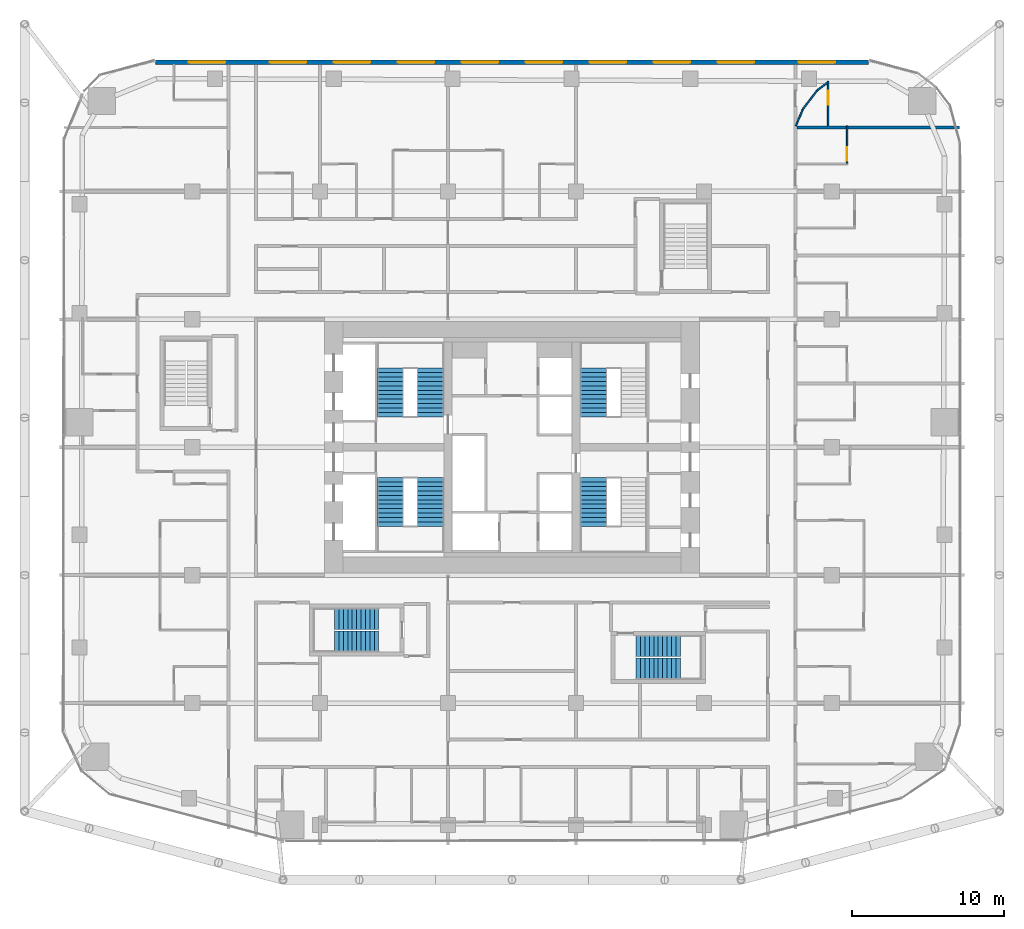
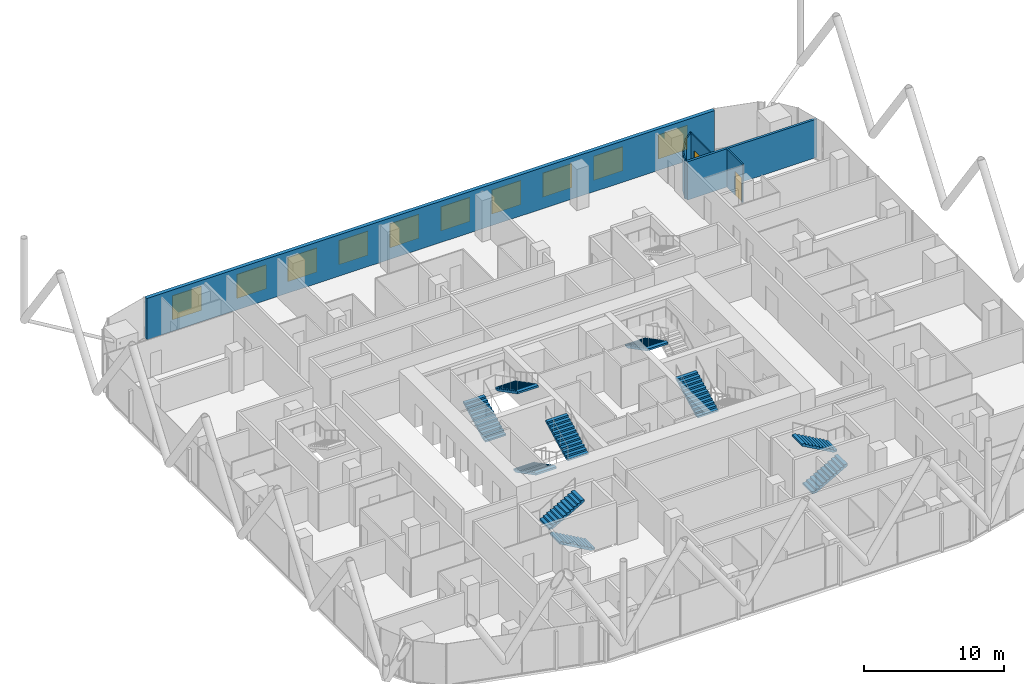
# One storey, part 31 of 34: 10 stair flights, 10 windows, 7 walls, 2 doors, 12 openings, 6 elements without a shape of their own.
"""IFC4 building model written with IfcOpenShell, lengths in metres."""

import ifcopenshell
import ifcopenshell.guid

model = None  # the IFC model being written
_history = None  # IfcOwnerHistory: only IFC2X3 demands one
_inside = {}  # id of a spatial element -> (the spatial element, [elements in it])
_under = {}  # id of a project, library or spatial element -> (it, [spatial elements below it])
_declared = {}  # id of a project -> (the project, [libraries it declares])
_typed = {}  # id of a type object -> (the type object, [elements of that type])
_made_of = {}  # id of a material, layer set ... -> (it, [elements and type objects made of it])


def new_model(schema):
    """Start an empty IFC model of exactly this schema.

    Asked for "IFC4X3", IfcOpenShell would pick the latest addendum, in which some entities
    have other attributes; the version numbers below select the first issue.
    IFC2X3 requires an IfcOwnerHistory on every rooted entity: one is made here for all.
    """
    global model, _history
    if schema == "IFC4X3":
        model = ifcopenshell.file(schema_version=(4, 3, 0, 0))
    else:
        model = ifcopenshell.file(schema=schema)
    _inside.clear()
    _under.clear()
    _declared.clear()
    _typed.clear()
    _made_of.clear()
    _history = None
    if model.schema == "IFC2X3":
        org = make("IfcOrganization", Name="unknown")
        user = make(
            "IfcPersonAndOrganization",
            ThePerson=make("IfcPerson", FamilyName="unknown"),
            TheOrganization=org,
        )
        app = make(
            "IfcApplication",
            ApplicationDeveloper=org,
            Version="unknown",
            ApplicationFullName="unknown",
            ApplicationIdentifier="unknown",
        )
        _history = make(
            "IfcOwnerHistory",
            OwningUser=user,
            OwningApplication=app,
            ChangeAction="ADDED",
            CreationDate=0,
        )
    return model


def make(cls, **values):
    """One entity of the class cls with the attributes given. An attribute that is None is left unset."""
    return model.create_entity(
        cls, **{name: value for name, value in values.items() if value is not None}
    )


def rooted(cls, **values):
    """An entity with a GlobalId (a new one), such as an element, a storey or a relation."""
    return make(cls, GlobalId=ifcopenshell.guid.new(), OwnerHistory=_history, **values)


def si_unit(unit_type, name, prefix=None):
    """IfcSIUnit, for example si_unit("LENGTHUNIT", "METRE", prefix="MILLI")."""
    return make("IfcSIUnit", UnitType=unit_type, Prefix=prefix, Name=name)


def assignment(units):
    """IfcUnitAssignment: the units of a project."""
    return None if units is None else make("IfcUnitAssignment", Units=units)


def point(xyz):
    """IfcCartesianPoint."""
    return None if xyz is None else make("IfcCartesianPoint", Coordinates=xyz)


def direction(xyz):
    """IfcDirection."""
    return None if xyz is None else make("IfcDirection", DirectionRatios=xyz)


def frame(location, z_axis=None, x_axis=None):
    """IfcAxis2Placement3D, a coordinate frame: its origin and axes. An axis left out is left unset."""
    return make(
        "IfcAxis2Placement3D",
        Location=point(location),
        Axis=direction(z_axis),
        RefDirection=direction(x_axis),
    )


def frame_2d(location, x_axis=None):
    """IfcAxis2Placement2D, a coordinate frame in the plane: its origin and x axis."""
    return make(
        "IfcAxis2Placement2D", Location=point(location), RefDirection=direction(x_axis)
    )


def origin():
    """The frame at (0, 0, 0) with its axes left unset."""
    return frame((0.0, 0.0, 0.0))


def place(relative_to, where):
    """IfcLocalPlacement: puts the frame where relative to a parent placement (None: the world)."""
    return make(
        "IfcLocalPlacement", PlacementRelTo=relative_to, RelativePlacement=where
    )


def context(
    kind, dimensions, precision=None, world=None, true_north=None, identifier=None
):
    """IfcGeometricRepresentationContext, for example the 3D "Model" context."""
    return make(
        "IfcGeometricRepresentationContext",
        ContextIdentifier=identifier,
        ContextType=kind,
        CoordinateSpaceDimension=dimensions,
        Precision=precision,
        WorldCoordinateSystem=world,
        TrueNorth=true_north,
    )


def subcontext(parent, identifier, kind, view, scale=None):
    """IfcGeometricRepresentationSubContext, for example "Body" below "Model"."""
    return make(
        "IfcGeometricRepresentationSubContext",
        ContextIdentifier=identifier,
        ContextType=kind,
        ParentContext=parent,
        TargetScale=scale,
        TargetView=view,
    )


def project(units=None, contexts=None):
    """IfcProject with its units and contexts."""
    return rooted(
        "IfcProject",
        Name="project",
        RepresentationContexts=contexts,
        UnitsInContext=assignment(units),
    )


def spatial(cls, under=None, at=None, **own):
    """A site, building, storey or space (cls), placed at a placement, below another one or the project."""
    s = rooted(cls, ObjectPlacement=at, **own)
    if under is not None:
        _under.setdefault(under.id(), (under, []))[1].append(s)
    return s


def polyline(points):
    """IfcPolyline through the points."""
    return make("IfcPolyline", Points=[point(p) for p in points])


def profile(cls, at=None, kind="AREA", **sizes):
    """A parametric profile (cls). Its sizes go by their IFC names, for example OverallWidth=200.0."""
    return make(cls, ProfileType=kind, Position=at, **sizes)


def rectangle(**sizes):
    """IfcRectangleProfileDef."""
    return profile("IfcRectangleProfileDef", **sizes)


def outline(outer, holes=None, kind="AREA"):
    """IfcArbitraryClosedProfileDef: a profile drawn as a closed curve; with holes, ...WithVoids."""
    if holes is None:
        return make("IfcArbitraryClosedProfileDef", ProfileType=kind, OuterCurve=outer)
    return make(
        "IfcArbitraryProfileDefWithVoids",
        ProfileType=kind,
        OuterCurve=outer,
        InnerCurves=holes,
    )


def extrude(swept, where, along, depth):
    """IfcExtrudedAreaSolid: the profile swept, set in the frame where, extruded along a direction by depth."""
    return make(
        "IfcExtrudedAreaSolid",
        SweptArea=swept,
        Position=where,
        ExtrudedDirection=direction(along),
        Depth=depth,
    )


def shape(context_of_items, identifier, shape_type, items):
    """IfcShapeRepresentation: the items that make up one representation, for example the "Body"."""
    return make(
        "IfcShapeRepresentation",
        ContextOfItems=context_of_items,
        RepresentationIdentifier=identifier,
        RepresentationType=shape_type,
        Items=items,
    )


def material(Name=None, Category=None):
    """IfcMaterial."""
    return make("IfcMaterial", Name=Name, Category=Category)


def layer(
    of_material, thickness, ventilated=None, Name=None, Category=None, Priority=None
):
    """IfcMaterialLayer: one layer of a wall or slab, of a material (None: an air gap)."""
    return make(
        "IfcMaterialLayer",
        Material=of_material,
        LayerThickness=thickness,
        IsVentilated=ventilated,
        Name=Name,
        Category=Category,
        Priority=Priority,
    )


def layer_set(layers, Name=None):
    """IfcMaterialLayerSet."""
    return make("IfcMaterialLayerSet", MaterialLayers=layers, LayerSetName=Name)


def made_of(thing, what):
    """Note that an element or type object is made of a material, layer set ...; save() writes the relation."""
    if what is not None:
        _made_of.setdefault(what.id(), (what, []))[1].append(thing)
    return thing


def type_object(cls, material=None, **own):
    """A type object (cls), such as IfcWallType, which elements share."""
    return made_of(rooted(cls, **own), material)


def element(
    cls,
    number,
    at=None,
    inside=None,
    cuts=None,
    type_object=None,
    material=None,
    context=None,
    identifier="Body",
    shape_type=None,
    held_by="IfcProductDefinitionShape",
    body=None,
    shapes=None,
    **own,
):
    """One element of the class cls, such as IfcWall. Its Tag is "e" and its number.

    at: its placement. inside: the storey or other place that contains it. cuts: it is an
    opening in that element (IfcRelVoidsElement). A single representation is given by context,
    identifier, shape_type and body (its items); several are given by shapes. held_by: the class
    of the entity that holds the representations. save() writes the other relations.
    """
    e = rooted(cls, Tag="e%d" % number, ObjectPlacement=at, **own)
    if body is not None:
        shapes = [shape(context, identifier, shape_type, body)]
    if shapes is not None:
        e.Representation = make(held_by, Representations=shapes)
    if inside is not None:
        _inside.setdefault(inside.id(), (inside, []))[1].append(e)
    if cuts is not None:
        rooted(
            "IfcRelVoidsElement", RelatingBuildingElement=cuts, RelatedOpeningElement=e
        )
    if type_object is not None:
        _typed.setdefault(type_object.id(), (type_object, []))[1].append(e)
    return made_of(e, material)


def fill(opening, filler):
    """IfcRelFillsElement: the door or window that sits in an opening."""
    return rooted(
        "IfcRelFillsElement",
        RelatingOpeningElement=opening,
        RelatedBuildingElement=filler,
    )


def aggregate(whole, parts):
    """IfcRelAggregates: a whole, such as a stair, and the parts it consists of."""
    return rooted("IfcRelAggregates", RelatingObject=whole, RelatedObjects=parts)


def save(model, path):
    """Write the relations noted so far, then the file.

    IfcRelAggregates (storeys below a building ...), IfcRelContainedInSpatialStructure (elements
    in a storey), IfcRelDefinesByType, IfcRelAssociatesMaterial and IfcRelDeclares: one each for
    every whole, place, type object, material and project.
    """
    for whole, parts in _under.values():
        aggregate(whole, parts)
    for where, things in _inside.values():
        rooted(
            "IfcRelContainedInSpatialStructure",
            RelatedElements=things,
            RelatingStructure=where,
        )
    for kind, things in _typed.values():
        rooted("IfcRelDefinesByType", RelatedObjects=things, RelatingType=kind)
    for what, things in _made_of.values():
        rooted("IfcRelAssociatesMaterial", RelatedObjects=things, RelatingMaterial=what)
    for by, libraries in _declared.values():
        rooted("IfcRelDeclares", RelatingContext=by, RelatedDefinitions=libraries)
    model.write(path)


model = new_model("IFC4")

# Units and contexts
model_context = context("Model", 3, precision=1e-05, world=origin(), true_north=direction((0.0, 1.0)))
body_context = subcontext(model_context, "Body", "Model", "MODEL_VIEW")
ifc_project = project(units=[si_unit("LENGTHUNIT", "METRE"), si_unit("AREAUNIT", "SQUARE_METRE"), si_unit("VOLUMEUNIT", "CUBIC_METRE"), si_unit("PLANEANGLEUNIT", "RADIAN"), si_unit("MASSUNIT", "GRAM", prefix="KILO")], contexts=[model_context])

# Site, building, storey
site_placement = place(None, origin())
site = spatial("IfcSite", under=ifc_project, at=site_placement, CompositionType="ELEMENT")
building_placement = place(site_placement, origin())
building = spatial("IfcBuilding", under=site, at=building_placement, Name="Marenta Gate Hotel Tower", CompositionType="ELEMENT")
storey_placement = place(building_placement, frame((0.0, 0.0, 47.300048828125)))
storey = spatial("IfcBuildingStorey", under=building, at=storey_placement, Name="L09", CompositionType="ELEMENT", Elevation=47.300048828125)

# Wall, openings, windows
ifc_material_1 = material(Name="Concrete C40 board-marked", Category="concrete")
ifc_layer_1 = layer(ifc_material_1, 0.300048828125)
ifc_layer_set_1 = layer_set([ifc_layer_1], Name="Concrete C40 board-marked")
wall_type_1 = type_object("IfcWallType", Name="Board-marked concrete wall 300 mm", PredefinedType="NOTDEFINED", material=ifc_layer_set_1)
wall_1_placement = place(storey_placement, frame((23.406005859375, 33.68994140625, 0.0), z_axis=(0.0, 0.0, 1.0), x_axis=(-1.0, 0.0, 0.0)))
wall_1 = element("IfcWall", 1, at=wall_1_placement, inside=storey, type_object=wall_type_1, Name="L09-CLD-N00", PredefinedType="NOTDEFINED", context=body_context, shape_type="SweptSolid", body=[
    extrude(rectangle(XDim=46.81201171875, YDim=0.300048828125, at=frame_2d((23.406005859375, 0.0))), origin(), (0.0, 0.0, 1.0), 3.599853515625),
])
opening_1_placement = place(wall_1_placement, frame((2.185791015625, 0.0, 0.89990234375)))
opening_1 = element("IfcOpeningElement", 2, at=opening_1_placement, cuts=wall_1, Name="Opening W1", PredefinedType="OPENING", context=body_context, shape_type="SweptSolid", body=[
    extrude(rectangle(XDim=2.39990234375, YDim=2.10009765625, at=frame_2d((1.199951171875, 1.050048828125))), frame((0.0, 0.14990234375, 0.0), z_axis=(0.0, -1.0, 0.0), x_axis=(1.0, 0.0, 0.0)), (0.0, 0.0, 1.0), 0.300048828125),
])
opening_2_placement = place(wall_1_placement, frame((7.505859375, 0.0, 0.89990234375)))
opening_2 = element("IfcOpeningElement", 3, at=opening_2_placement, cuts=wall_1, Name="Opening W1", PredefinedType="OPENING", context=body_context, shape_type="SweptSolid", body=[
    extrude(rectangle(XDim=2.39990234375, YDim=2.10009765625, at=frame_2d((1.199951171875, 1.050048828125))), frame((0.0, 0.14990234375, 0.0), z_axis=(0.0, -1.0, 0.0), x_axis=(1.0, 0.0, 0.0)), (0.0, 0.0, 1.0), 0.300048828125),
])
opening_3_placement = place(wall_1_placement, frame((11.705810546875, 0.0, 0.89990234375)))
opening_3 = element("IfcOpeningElement", 4, at=opening_3_placement, cuts=wall_1, Name="Opening W1", PredefinedType="OPENING", context=body_context, shape_type="SweptSolid", body=[
    extrude(rectangle(XDim=2.39990234375, YDim=2.10009765625, at=frame_2d((1.199951171875, 1.050048828125))), frame((0.0, 0.14990234375, 0.0), z_axis=(0.0, -1.0, 0.0), x_axis=(1.0, 0.0, 0.0)), (0.0, 0.0, 1.0), 0.300048828125),
])
opening_4_placement = place(wall_1_placement, frame((15.906005859375, 0.0, 0.89990234375)))
opening_4 = element("IfcOpeningElement", 5, at=opening_4_placement, cuts=wall_1, Name="Opening W1", PredefinedType="OPENING", context=body_context, shape_type="SweptSolid", body=[
    extrude(rectangle(XDim=2.39990234375, YDim=2.10009765625, at=frame_2d((1.199951171875, 1.050048828125))), frame((0.0, 0.14990234375, 0.0), z_axis=(0.0, -1.0, 0.0), x_axis=(1.0, 0.0, 0.0)), (0.0, 0.0, 1.0), 0.300048828125),
])
opening_5_placement = place(wall_1_placement, frame((20.10595703125, 0.0, 0.89990234375)))
opening_5 = element("IfcOpeningElement", 6, at=opening_5_placement, cuts=wall_1, Name="Opening W1", PredefinedType="OPENING", context=body_context, shape_type="SweptSolid", body=[
    extrude(rectangle(XDim=2.39990234375, YDim=2.10009765625, at=frame_2d((1.199951171875, 1.050048828125))), frame((0.0, 0.14990234375, 0.0), z_axis=(0.0, -1.0, 0.0), x_axis=(1.0, 0.0, 0.0)), (0.0, 0.0, 1.0), 0.300048828125),
])
opening_6_placement = place(wall_1_placement, frame((24.305908203125, 0.0, 0.89990234375)))
opening_6 = element("IfcOpeningElement", 7, at=opening_6_placement, cuts=wall_1, Name="Opening W1", PredefinedType="OPENING", context=body_context, shape_type="SweptSolid", body=[
    extrude(rectangle(XDim=2.39990234375, YDim=2.10009765625, at=frame_2d((1.199951171875, 1.050048828125))), frame((0.0, 0.14990234375, 0.0), z_axis=(0.0, -1.0, 0.0), x_axis=(1.0, 0.0, 0.0)), (0.0, 0.0, 1.0), 0.300048828125),
])
opening_7_placement = place(wall_1_placement, frame((28.505859375, 0.0, 0.89990234375)))
opening_7 = element("IfcOpeningElement", 8, at=opening_7_placement, cuts=wall_1, Name="Opening W1", PredefinedType="OPENING", context=body_context, shape_type="SweptSolid", body=[
    extrude(rectangle(XDim=2.39990234375, YDim=2.10009765625, at=frame_2d((1.199951171875, 1.050048828125))), frame((0.0, 0.14990234375, 0.0), z_axis=(0.0, -1.0, 0.0), x_axis=(1.0, 0.0, 0.0)), (0.0, 0.0, 1.0), 0.300048828125),
])
opening_8_placement = place(wall_1_placement, frame((32.705810546875, 0.0, 0.89990234375)))
opening_8 = element("IfcOpeningElement", 9, at=opening_8_placement, cuts=wall_1, Name="Opening W1", PredefinedType="OPENING", context=body_context, shape_type="SweptSolid", body=[
    extrude(rectangle(XDim=2.39990234375, YDim=2.10009765625, at=frame_2d((1.199951171875, 1.050048828125))), frame((0.0, 0.14990234375, 0.0), z_axis=(0.0, -1.0, 0.0), x_axis=(1.0, 0.0, 0.0)), (0.0, 0.0, 1.0), 0.300048828125),
])
opening_9_placement = place(wall_1_placement, frame((36.906005859375, 0.0, 0.89990234375)))
opening_9 = element("IfcOpeningElement", 10, at=opening_9_placement, cuts=wall_1, Name="Opening W1", PredefinedType="OPENING", context=body_context, shape_type="SweptSolid", body=[
    extrude(rectangle(XDim=2.39990234375, YDim=2.10009765625, at=frame_2d((1.199951171875, 1.050048828125))), frame((0.0, 0.14990234375, 0.0), z_axis=(0.0, -1.0, 0.0), x_axis=(1.0, 0.0, 0.0)), (0.0, 0.0, 1.0), 0.300048828125),
])
opening_10_placement = place(wall_1_placement, frame((42.225830078125, 0.0, 0.89990234375)))
opening_10 = element("IfcOpeningElement", 11, at=opening_10_placement, cuts=wall_1, Name="Opening W1", PredefinedType="OPENING", context=body_context, shape_type="SweptSolid", body=[
    extrude(rectangle(XDim=2.39990234375, YDim=2.10009765625, at=frame_2d((1.199951171875, 1.050048828125))), frame((0.0, 0.14990234375, 0.0), z_axis=(0.0, -1.0, 0.0), x_axis=(1.0, 0.0, 0.0)), (0.0, 0.0, 1.0), 0.300048828125),
])
ifc_material_2 = material(Name="Tinted insulated glass in bronze anodised frame", Category="glass")
window_type = type_object("IfcWindowType", Name="Window W1 2400x2100 bronze frame", PartitioningType="SINGLE_PANEL", PredefinedType="WINDOW", material=ifc_material_2)
window_1_placement = place(opening_1_placement, origin())
window_1 = element("IfcWindow", 12, at=window_1_placement, inside=storey, type_object=window_type, Name="Window W1", OverallHeight=2.10009765625, OverallWidth=2.39990234375, PartitioningType="SINGLE_PANEL", PredefinedType="WINDOW", context=body_context, shape_type="SweptSolid", body=[
    extrude(rectangle(XDim=2.39990234375, YDim=2.10009765625, at=frame_2d((1.199951171875, 1.050048828125))), frame((0.0, 0.030029296875, 0.0), z_axis=(0.0, -1.0, 0.0), x_axis=(1.0, 0.0, 0.0)), (0.0, 0.0, 1.0), 0.06005859375),
])
fill(opening_1, window_1)
window_2_placement = place(opening_2_placement, origin())
window_2 = element("IfcWindow", 13, at=window_2_placement, inside=storey, type_object=window_type, Name="Window W1", OverallHeight=2.10009765625, OverallWidth=2.39990234375, PartitioningType="SINGLE_PANEL", PredefinedType="WINDOW", context=body_context, shape_type="SweptSolid", body=[
    extrude(rectangle(XDim=2.39990234375, YDim=2.10009765625, at=frame_2d((1.199951171875, 1.050048828125))), frame((0.0, 0.030029296875, 0.0), z_axis=(0.0, -1.0, 0.0), x_axis=(1.0, 0.0, 0.0)), (0.0, 0.0, 1.0), 0.06005859375),
])
fill(opening_2, window_2)
window_3_placement = place(opening_3_placement, origin())
window_3 = element("IfcWindow", 14, at=window_3_placement, inside=storey, type_object=window_type, Name="Window W1", OverallHeight=2.10009765625, OverallWidth=2.39990234375, PartitioningType="SINGLE_PANEL", PredefinedType="WINDOW", context=body_context, shape_type="SweptSolid", body=[
    extrude(rectangle(XDim=2.39990234375, YDim=2.10009765625, at=frame_2d((1.199951171875, 1.050048828125))), frame((0.0, 0.030029296875, 0.0), z_axis=(0.0, -1.0, 0.0), x_axis=(1.0, 0.0, 0.0)), (0.0, 0.0, 1.0), 0.06005859375),
])
fill(opening_3, window_3)
window_4_placement = place(opening_4_placement, origin())
window_4 = element("IfcWindow", 15, at=window_4_placement, inside=storey, type_object=window_type, Name="Window W1", OverallHeight=2.10009765625, OverallWidth=2.39990234375, PartitioningType="SINGLE_PANEL", PredefinedType="WINDOW", context=body_context, shape_type="SweptSolid", body=[
    extrude(rectangle(XDim=2.39990234375, YDim=2.10009765625, at=frame_2d((1.199951171875, 1.050048828125))), frame((0.0, 0.030029296875, 0.0), z_axis=(0.0, -1.0, 0.0), x_axis=(1.0, 0.0, 0.0)), (0.0, 0.0, 1.0), 0.06005859375),
])
fill(opening_4, window_4)
window_5_placement = place(opening_5_placement, origin())
window_5 = element("IfcWindow", 16, at=window_5_placement, inside=storey, type_object=window_type, Name="Window W1", OverallHeight=2.10009765625, OverallWidth=2.39990234375, PartitioningType="SINGLE_PANEL", PredefinedType="WINDOW", context=body_context, shape_type="SweptSolid", body=[
    extrude(rectangle(XDim=2.39990234375, YDim=2.10009765625, at=frame_2d((1.199951171875, 1.050048828125))), frame((0.0, 0.030029296875, 0.0), z_axis=(0.0, -1.0, 0.0), x_axis=(1.0, 0.0, 0.0)), (0.0, 0.0, 1.0), 0.06005859375),
])
fill(opening_5, window_5)
window_6_placement = place(opening_6_placement, origin())
window_6 = element("IfcWindow", 17, at=window_6_placement, inside=storey, type_object=window_type, Name="Window W1", OverallHeight=2.10009765625, OverallWidth=2.39990234375, PartitioningType="SINGLE_PANEL", PredefinedType="WINDOW", context=body_context, shape_type="SweptSolid", body=[
    extrude(rectangle(XDim=2.39990234375, YDim=2.10009765625, at=frame_2d((1.199951171875, 1.050048828125))), frame((0.0, 0.030029296875, 0.0), z_axis=(0.0, -1.0, 0.0), x_axis=(1.0, 0.0, 0.0)), (0.0, 0.0, 1.0), 0.06005859375),
])
fill(opening_6, window_6)
window_7_placement = place(opening_7_placement, origin())
window_7 = element("IfcWindow", 18, at=window_7_placement, inside=storey, type_object=window_type, Name="Window W1", OverallHeight=2.10009765625, OverallWidth=2.39990234375, PartitioningType="SINGLE_PANEL", PredefinedType="WINDOW", context=body_context, shape_type="SweptSolid", body=[
    extrude(rectangle(XDim=2.39990234375, YDim=2.10009765625, at=frame_2d((1.199951171875, 1.050048828125))), frame((0.0, 0.030029296875, 0.0), z_axis=(0.0, -1.0, 0.0), x_axis=(1.0, 0.0, 0.0)), (0.0, 0.0, 1.0), 0.06005859375),
])
fill(opening_7, window_7)
window_8_placement = place(opening_8_placement, origin())
window_8 = element("IfcWindow", 19, at=window_8_placement, inside=storey, type_object=window_type, Name="Window W1", OverallHeight=2.10009765625, OverallWidth=2.39990234375, PartitioningType="SINGLE_PANEL", PredefinedType="WINDOW", context=body_context, shape_type="SweptSolid", body=[
    extrude(rectangle(XDim=2.39990234375, YDim=2.10009765625, at=frame_2d((1.199951171875, 1.050048828125))), frame((0.0, 0.030029296875, 0.0), z_axis=(0.0, -1.0, 0.0), x_axis=(1.0, 0.0, 0.0)), (0.0, 0.0, 1.0), 0.06005859375),
])
fill(opening_8, window_8)
window_9_placement = place(opening_9_placement, origin())
window_9 = element("IfcWindow", 20, at=window_9_placement, inside=storey, type_object=window_type, Name="Window W1", OverallHeight=2.10009765625, OverallWidth=2.39990234375, PartitioningType="SINGLE_PANEL", PredefinedType="WINDOW", context=body_context, shape_type="SweptSolid", body=[
    extrude(rectangle(XDim=2.39990234375, YDim=2.10009765625, at=frame_2d((1.199951171875, 1.050048828125))), frame((0.0, 0.030029296875, 0.0), z_axis=(0.0, -1.0, 0.0), x_axis=(1.0, 0.0, 0.0)), (0.0, 0.0, 1.0), 0.06005859375),
])
fill(opening_9, window_9)
window_10_placement = place(opening_10_placement, origin())
window_10 = element("IfcWindow", 21, at=window_10_placement, inside=storey, type_object=window_type, Name="Window W1", OverallHeight=2.10009765625, OverallWidth=2.39990234375, PartitioningType="SINGLE_PANEL", PredefinedType="WINDOW", context=body_context, shape_type="SweptSolid", body=[
    extrude(rectangle(XDim=2.39990234375, YDim=2.10009765625, at=frame_2d((1.199951171875, 1.050048828125))), frame((0.0, 0.030029296875, 0.0), z_axis=(0.0, -1.0, 0.0), x_axis=(1.0, 0.0, 0.0)), (0.0, 0.0, 1.0), 0.06005859375),
])
fill(opening_10, window_10)

# Wall, opening, door
ifc_material_3 = material(Name="Gypsum board on steel stud", Category="steel")
ifc_layer_2 = layer(ifc_material_3, 0.10009765625)
ifc_layer_set_2 = layer_set([ifc_layer_2], Name="Gypsum board on steel stud")
wall_type_2 = type_object("IfcWallType", Name="Room partition 100", PredefinedType="PARTITIONING", material=ifc_layer_set_2)
wall_2_placement = place(storey_placement, frame((22.0, 27.050048828125, 0.0), z_axis=(0.0, 0.0, 1.0), x_axis=(0.0, 1.0, 0.0)))
wall_2 = element("IfcWall", 22, at=wall_2_placement, inside=storey, type_object=wall_type_2, Name="L09-PTN-W009", PredefinedType="PARTITIONING", context=body_context, shape_type="SweptSolid", body=[
    extrude(rectangle(XDim=2.449951171875, YDim=0.10009765625, at=frame_2d((1.22509765625, 0.0))), origin(), (0.0, 0.0, 1.0), 3.33984375),
])
opening_11_placement = place(wall_2_placement, frame((0.14990234375, 0.0, 0.0)))
opening_11 = element("IfcOpeningElement", 23, at=opening_11_placement, cuts=wall_2, Name="Opening G03-25", PredefinedType="OPENING", context=body_context, shape_type="SweptSolid", body=[
    extrude(rectangle(XDim=0.89990234375, YDim=2.10009765625, at=frame_2d((0.449951171875, 1.050048828125))), frame((0.0, 0.050048828125, 0.0), z_axis=(0.0, -1.0, 0.0), x_axis=(1.0, 0.0, 0.0)), (0.0, 0.0, 1.0), 0.10009765625),
])
ifc_material_4 = material(Name="Timber door leaf", Category="wood")
door_type = type_object("IfcDoorType", Name="Guest bathroom door 900x2100", OperationType="NOTDEFINED", PredefinedType="DOOR", material=ifc_material_4)
door_1_placement = place(opening_11_placement, origin())
door_1 = element("IfcDoor", 24, at=door_1_placement, inside=storey, type_object=door_type, Name="L09-PD-D025", OperationType="SINGLE_SWING_LEFT", OverallHeight=2.10009765625, OverallWidth=0.89990234375, PredefinedType="DOOR", context=body_context, shape_type="SweptSolid", body=[
    extrude(rectangle(XDim=0.89990234375, YDim=2.10009765625, at=frame_2d((0.449951171875, 1.050048828125))), frame((0.0, 0.02490234375, 0.0), z_axis=(0.0, -1.0, 0.0), x_axis=(1.0, 0.0, 0.0)), (0.0, 0.0, 1.0), 0.050048828125),
])
fill(opening_11, door_1)

wall_3_placement = place(storey_placement, frame((20.757080078125, 29.5, 0.0), z_axis=(0.0, 0.0, 1.0), x_axis=(0.0, 1.0, 0.0)))
wall_3 = element("IfcWall", 25, at=wall_3_placement, inside=storey, type_object=wall_type_2, Name="L09-PTN-W010", PredefinedType="PARTITIONING", context=body_context, shape_type="SweptSolid", body=[
    extrude(rectangle(XDim=2.93505859375, YDim=0.10009765625, at=frame_2d((1.467529296875, 0.0))), origin(), (0.0, 0.0, 1.0), 3.33984375),
])
opening_12_placement = place(wall_3_placement, frame((1.39990234375, 0.0, 0.0)))
opening_12 = element("IfcOpeningElement", 26, at=opening_12_placement, cuts=wall_3, Name="Opening G03-27", PredefinedType="OPENING", context=body_context, shape_type="SweptSolid", body=[
    extrude(rectangle(XDim=0.89990234375, YDim=2.10009765625, at=frame_2d((0.449951171875, 1.050048828125))), frame((0.0, 0.050048828125, 0.0), z_axis=(0.0, -1.0, 0.0), x_axis=(1.0, 0.0, 0.0)), (0.0, 0.0, 1.0), 0.10009765625),
])
door_2_placement = place(opening_12_placement, origin())
door_2 = element("IfcDoor", 27, at=door_2_placement, inside=storey, type_object=door_type, Name="L09-PD-D027", OperationType="SINGLE_SWING_RIGHT", OverallHeight=2.10009765625, OverallWidth=0.89990234375, PredefinedType="DOOR", context=body_context, shape_type="SweptSolid", body=[
    extrude(rectangle(XDim=0.89990234375, YDim=2.10009765625, at=frame_2d((0.449951171875, 1.050048828125))), frame((0.0, 0.02490234375, 0.0), z_axis=(0.0, -1.0, 0.0), x_axis=(1.0, 0.0, 0.0)), (0.0, 0.0, 1.0), 0.050048828125),
])
fill(opening_12, door_2)

# Walls
wall_4_placement = place(storey_placement, frame((18.637939453125, 29.491943359375, 0.0), z_axis=(0.0, 0.0, 1.0), x_axis=(0.382714431757, 0.923866691533, 0.0)))
element("IfcWall", 28, at=wall_4_placement, inside=storey, type_object=wall_type_2, Name="L09-PTN-W044", PredefinedType="PARTITIONING", context=body_context, shape_type="SweptSolid", body=[
    extrude(rectangle(XDim=1.1494140625, YDim=0.10009765625, at=frame_2d((0.57470703125, 0.0))), origin(), (0.0, 0.0, 1.0), 3.33984375),
])
wall_5_placement = place(storey_placement, frame((19.06689453125, 30.56005859375, 0.0), z_axis=(0.0, 0.0, 1.0), x_axis=(0.608519892166, 0.793538619626, 0.0)))
element("IfcWall", 29, at=wall_5_placement, inside=storey, type_object=wall_type_2, Name="L09-PTN-W065", PredefinedType="PARTITIONING", context=body_context, shape_type="SweptSolid", body=[
    extrude(rectangle(XDim=1.56640625, YDim=0.10009765625, at=frame_2d((0.783203125, 0.0))), origin(), (0.0, 0.0, 1.0), 3.33984375),
])
wall_6_placement = place(storey_placement, frame((20.010009765625, 31.81298828125, 0.0), z_axis=(0.0, 0.0, 1.0), x_axis=(0.793641646693, 0.608385516457, 0.0)))
element("IfcWall", 30, at=wall_6_placement, inside=storey, type_object=wall_type_2, Name="L09-PTN-W092", PredefinedType="PARTITIONING", context=body_context, shape_type="SweptSolid", body=[
    extrude(rectangle(XDim=0.890869140625, YDim=0.10009765625, at=frame_2d((0.4453125, 0.0))), origin(), (0.0, 0.0, 1.0), 3.33984375),
])
ifc_material_5 = material(Name="Gypsum board on steel stud", Category="steel")
ifc_layer_3 = layer(ifc_material_5, 0.199951171875)
ifc_layer_set_3 = layer_set([ifc_layer_3], Name="Gypsum board on steel stud")
wall_type_3 = type_object("IfcWallType", Name="Room party wall 200 EI 60", PredefinedType="PARTITIONING", material=ifc_layer_set_3)
wall_7_placement = place(storey_placement, frame((18.699951171875, 29.39990234375, 0.0), z_axis=(0.0, 0.0, 1.0), x_axis=(1.0, 0.0, 0.0)))
element("IfcWall", 31, at=wall_7_placement, inside=storey, type_object=wall_type_3, Name="L09-PTN-W135", PredefinedType="PARTITIONING", context=body_context, shape_type="SweptSolid", body=[
    extrude(rectangle(XDim=10.693115234375, YDim=0.199951171875, at=frame_2d((5.3466796875, 0.0))), origin(), (0.0, 0.0, 1.0), 3.33984375),
])

# Stair, stair flights
ifc_material_6 = material(Name="Concrete C40", Category="concrete")
stair_type_1 = type_object("IfcStairType", Name="Core exit stair 1700 wide", PredefinedType="HALF_TURN_STAIR", material=ifc_material_6)
stair_1_placement = place(storey_placement, origin())
stair_1 = element("IfcStair", 32, at=stair_1_placement, inside=storey, type_object=stair_type_1, Name="Exit stair 1", PredefinedType="HALF_TURN_STAIR")
ifc_material_7 = material(Name="Concrete C40", Category="concrete")
stair_flight_type_1 = type_object("IfcStairFlightType", Name="Core stair flight 1700 riser 150.0 going 290", PredefinedType="STRAIGHT", material=ifc_material_7)
stair_flight_1_placement = place(storey_placement, frame((-8.0, 6.39990234375, 0.0), z_axis=(0.0, 0.0, 1.0), x_axis=(0.0, -1.0, 0.0)))
stair_flight_1 = element("IfcStairFlight", 33, at=stair_flight_1_placement, type_object=stair_flight_type_1, Name="ST1 flight 1", NumberOfRisers=12, NumberOfTreads=11, PredefinedType="STRAIGHT", RiserHeight=0.15, TreadLength=0.29, context=body_context, shape_type="SweptSolid", body=[
    extrude(outline(polyline([(0.0, 0.0), (0.0, 0.14990234375), (0.2900390625, 0.14990234375), (0.2900390625, 0.300048828125), (0.580078125, 0.300048828125), (0.580078125, 0.449951171875), (0.8701171875, 0.449951171875), (0.8701171875, 0.60009765625), (1.159912109375, 0.60009765625), (1.159912109375, 0.75), (1.449951171875, 0.75), (1.449951171875, 0.89990234375), (1.739990234375, 0.89990234375), (1.739990234375, 1.050048828125), (2.030029296875, 1.050048828125), (2.030029296875, 1.199951171875), (2.320068359375, 1.199951171875), (2.320068359375, 1.35009765625), (2.610107421875, 1.35009765625), (2.610107421875, 1.5), (2.89990234375, 1.5), (2.89990234375, 1.64990234375), (3.18994140625, 1.64990234375), (3.18994140625, 1.800048828125), (3.18994140625, 1.481201171875), (0.326171875, 0.0), (0.0, 0.0)])), frame((0.0, 0.85009765625, 0.0), z_axis=(0.0, -1.0, 0.0), x_axis=(1.0, 0.0, 0.0)), (0.0, 0.0, 1.0), 1.699951171875),
])
stair_flight_2_placement = place(storey_placement, frame((-5.35009765625, 3.2099609375, 1.800048828125), z_axis=(0.0, 0.0, 1.0), x_axis=(0.0, 1.0, 0.0)))
stair_flight_2 = element("IfcStairFlight", 34, at=stair_flight_2_placement, type_object=stair_flight_type_1, Name="ST1 flight 2", NumberOfRisers=12, NumberOfTreads=11, PredefinedType="STRAIGHT", RiserHeight=0.15, TreadLength=0.29, context=body_context, shape_type="SweptSolid", body=[
    extrude(outline(polyline([(0.0, 0.0), (0.0, 0.14990234375), (0.2900390625, 0.14990234375), (0.2900390625, 0.300048828125), (0.580078125, 0.300048828125), (0.580078125, 0.449951171875), (0.8701171875, 0.449951171875), (0.8701171875, 0.60009765625), (1.159912109375, 0.60009765625), (1.159912109375, 0.75), (1.449951171875, 0.75), (1.449951171875, 0.89990234375), (1.739990234375, 0.89990234375), (1.739990234375, 1.050048828125), (2.030029296875, 1.050048828125), (2.030029296875, 1.199951171875), (2.320068359375, 1.199951171875), (2.320068359375, 1.35009765625), (2.610107421875, 1.35009765625), (2.610107421875, 1.5), (2.89990234375, 1.5), (2.89990234375, 1.64990234375), (3.18994140625, 1.64990234375), (3.18994140625, 1.800048828125), (3.18994140625, 1.481201171875), (0.326171875, 0.0), (0.0, 0.0)])), frame((0.0, 0.85009765625, 0.0), z_axis=(0.0, -1.0, 0.0), x_axis=(1.0, 0.0, 0.0)), (0.0, 0.0, 1.0), 1.699951171875),
])
aggregate(stair_1, [stair_flight_1, stair_flight_2])

stair_2_placement = place(storey_placement, origin())
stair_2 = element("IfcStair", 35, at=stair_2_placement, inside=storey, type_object=stair_type_1, Name="Exit stair 2", PredefinedType="HALF_TURN_STAIR")
stair_flight_3_placement = place(storey_placement, frame((-8.0, 10.39990234375, 0.0), z_axis=(0.0, 0.0, 1.0), x_axis=(0.0, 1.0, 0.0)))
stair_flight_3 = element("IfcStairFlight", 36, at=stair_flight_3_placement, type_object=stair_flight_type_1, Name="ST2 flight 1", NumberOfRisers=12, NumberOfTreads=11, PredefinedType="STRAIGHT", RiserHeight=0.15, TreadLength=0.29, context=body_context, shape_type="SweptSolid", body=[
    extrude(outline(polyline([(0.0, 0.0), (0.0, 0.14990234375), (0.2900390625, 0.14990234375), (0.2900390625, 0.300048828125), (0.580078125, 0.300048828125), (0.580078125, 0.449951171875), (0.8701171875, 0.449951171875), (0.8701171875, 0.60009765625), (1.159912109375, 0.60009765625), (1.159912109375, 0.75), (1.449951171875, 0.75), (1.449951171875, 0.89990234375), (1.739990234375, 0.89990234375), (1.739990234375, 1.050048828125), (2.030029296875, 1.050048828125), (2.030029296875, 1.199951171875), (2.320068359375, 1.199951171875), (2.320068359375, 1.35009765625), (2.610107421875, 1.35009765625), (2.610107421875, 1.5), (2.89990234375, 1.5), (2.89990234375, 1.64990234375), (3.18994140625, 1.64990234375), (3.18994140625, 1.800048828125), (3.18994140625, 1.481201171875), (0.326171875, 0.0), (0.0, 0.0)])), frame((0.0, 0.85009765625, 0.0), z_axis=(0.0, -1.0, 0.0), x_axis=(1.0, 0.0, 0.0)), (0.0, 0.0, 1.0), 1.699951171875),
])
stair_flight_4_placement = place(storey_placement, frame((-5.35009765625, 13.590087890625, 1.800048828125), z_axis=(0.0, 0.0, 1.0), x_axis=(0.0, -1.0, 0.0)))
stair_flight_4 = element("IfcStairFlight", 37, at=stair_flight_4_placement, type_object=stair_flight_type_1, Name="ST2 flight 2", NumberOfRisers=12, NumberOfTreads=11, PredefinedType="STRAIGHT", RiserHeight=0.15, TreadLength=0.29, context=body_context, shape_type="SweptSolid", body=[
    extrude(outline(polyline([(0.0, 0.0), (0.0, 0.14990234375), (0.2900390625, 0.14990234375), (0.2900390625, 0.300048828125), (0.580078125, 0.300048828125), (0.580078125, 0.449951171875), (0.8701171875, 0.449951171875), (0.8701171875, 0.60009765625), (1.159912109375, 0.60009765625), (1.159912109375, 0.75), (1.449951171875, 0.75), (1.449951171875, 0.89990234375), (1.739990234375, 0.89990234375), (1.739990234375, 1.050048828125), (2.030029296875, 1.050048828125), (2.030029296875, 1.199951171875), (2.320068359375, 1.199951171875), (2.320068359375, 1.35009765625), (2.610107421875, 1.35009765625), (2.610107421875, 1.5), (2.89990234375, 1.5), (2.89990234375, 1.64990234375), (3.18994140625, 1.64990234375), (3.18994140625, 1.800048828125), (3.18994140625, 1.481201171875), (0.326171875, 0.0), (0.0, 0.0)])), frame((0.0, 0.85009765625, 0.0), z_axis=(0.0, -1.0, 0.0), x_axis=(1.0, 0.0, 0.0)), (0.0, 0.0, 1.0), 1.699951171875),
])
aggregate(stair_2, [stair_flight_3, stair_flight_4])

# Stair, stair flight
stair_3_placement = place(storey_placement, origin())
stair_3 = element("IfcStair", 38, at=stair_3_placement, inside=storey, type_object=stair_type_1, Name="Exit stair 3", PredefinedType="HALF_TURN_STAIR")
stair_flight_5_placement = place(storey_placement, frame((5.35009765625, 3.2099609375, 1.800048828125), z_axis=(0.0, 0.0, 1.0), x_axis=(0.0, 1.0, 0.0)))
stair_flight_5 = element("IfcStairFlight", 39, at=stair_flight_5_placement, type_object=stair_flight_type_1, Name="ST3 flight 2", NumberOfRisers=12, NumberOfTreads=11, PredefinedType="STRAIGHT", RiserHeight=0.15, TreadLength=0.29, context=body_context, shape_type="SweptSolid", body=[
    extrude(outline(polyline([(0.0, 0.0), (0.0, 0.14990234375), (0.2900390625, 0.14990234375), (0.2900390625, 0.300048828125), (0.580078125, 0.300048828125), (0.580078125, 0.449951171875), (0.8701171875, 0.449951171875), (0.8701171875, 0.60009765625), (1.159912109375, 0.60009765625), (1.159912109375, 0.75), (1.449951171875, 0.75), (1.449951171875, 0.89990234375), (1.739990234375, 0.89990234375), (1.739990234375, 1.050048828125), (2.030029296875, 1.050048828125), (2.030029296875, 1.199951171875), (2.320068359375, 1.199951171875), (2.320068359375, 1.35009765625), (2.610107421875, 1.35009765625), (2.610107421875, 1.5), (2.89990234375, 1.5), (2.89990234375, 1.64990234375), (3.18994140625, 1.64990234375), (3.18994140625, 1.800048828125), (3.18994140625, 1.481201171875), (0.326171875, 0.0), (0.0, 0.0)])), frame((0.0, 0.85009765625, 0.0), z_axis=(0.0, -1.0, 0.0), x_axis=(1.0, 0.0, 0.0)), (0.0, 0.0, 1.0), 1.699951171875),
])
aggregate(stair_3, [stair_flight_5])

stair_4_placement = place(storey_placement, origin())
stair_4 = element("IfcStair", 40, at=stair_4_placement, inside=storey, type_object=stair_type_1, Name="Exit stair 4", PredefinedType="HALF_TURN_STAIR")
stair_flight_6_placement = place(storey_placement, frame((5.35009765625, 13.590087890625, 1.800048828125), z_axis=(0.0, 0.0, 1.0), x_axis=(0.0, -1.0, 0.0)))
stair_flight_6 = element("IfcStairFlight", 41, at=stair_flight_6_placement, type_object=stair_flight_type_1, Name="ST4 flight 2", NumberOfRisers=12, NumberOfTreads=11, PredefinedType="STRAIGHT", RiserHeight=0.15, TreadLength=0.29, context=body_context, shape_type="SweptSolid", body=[
    extrude(outline(polyline([(0.0, 0.0), (0.0, 0.14990234375), (0.2900390625, 0.14990234375), (0.2900390625, 0.300048828125), (0.580078125, 0.300048828125), (0.580078125, 0.449951171875), (0.8701171875, 0.449951171875), (0.8701171875, 0.60009765625), (1.159912109375, 0.60009765625), (1.159912109375, 0.75), (1.449951171875, 0.75), (1.449951171875, 0.89990234375), (1.739990234375, 0.89990234375), (1.739990234375, 1.050048828125), (2.030029296875, 1.050048828125), (2.030029296875, 1.199951171875), (2.320068359375, 1.199951171875), (2.320068359375, 1.35009765625), (2.610107421875, 1.35009765625), (2.610107421875, 1.5), (2.89990234375, 1.5), (2.89990234375, 1.64990234375), (3.18994140625, 1.64990234375), (3.18994140625, 1.800048828125), (3.18994140625, 1.481201171875), (0.326171875, 0.0), (0.0, 0.0)])), frame((0.0, 0.85009765625, 0.0), z_axis=(0.0, -1.0, 0.0), x_axis=(1.0, 0.0, 0.0)), (0.0, 0.0, 1.0), 1.699951171875),
])
aggregate(stair_4, [stair_flight_6])

# Stair, stair flights
ifc_material_8 = material(Name="Concrete C40", Category="concrete")
stair_type_2 = type_object("IfcStairType", Name="Remote exit stair 1400 wide", PredefinedType="HALF_TURN_STAIR", material=ifc_material_8)
stair_5_placement = place(storey_placement, origin())
stair_5 = element("IfcStair", 42, at=stair_5_placement, inside=storey, type_object=stair_type_2, Name="Exit stair RS-Z1-1", PredefinedType="HALF_TURN_STAIR")
ifc_material_9 = material(Name="Concrete C40", Category="concrete")
stair_flight_type_2 = type_object("IfcStairFlightType", Name="Remote stair flight 1400 riser 163.6 going 290", PredefinedType="STRAIGHT", material=ifc_material_9)
stair_flight_7_placement = place(storey_placement, frame((8.14990234375, -6.14990234375, 0.0), z_axis=(0.0, 0.0, 1.0), x_axis=(1.0, 0.0, 0.0)))
stair_flight_7 = element("IfcStairFlight", 43, at=stair_flight_7_placement, type_object=stair_flight_type_2, Name="RS-Z1-1 flight 1", NumberOfRisers=11, NumberOfTreads=10, PredefinedType="STRAIGHT", RiserHeight=0.163636, TreadLength=0.29, context=body_context, shape_type="SweptSolid", body=[
    extrude(outline(polyline([(0.0, 0.0), (0.0, 0.16357421875), (0.2900390625, 0.16357421875), (0.2900390625, 0.327392578125), (0.580078125, 0.327392578125), (0.580078125, 0.490966796875), (0.8701171875, 0.490966796875), (0.8701171875, 0.654541015625), (1.159912109375, 0.654541015625), (1.159912109375, 0.818115234375), (1.449951171875, 0.818115234375), (1.449951171875, 0.98193359375), (1.739990234375, 0.98193359375), (1.739990234375, 1.1455078125), (2.030029296875, 1.1455078125), (2.030029296875, 1.30908203125), (2.320068359375, 1.30908203125), (2.320068359375, 1.47265625), (2.610107421875, 1.47265625), (2.610107421875, 1.636474609375), (2.89990234375, 1.636474609375), (2.89990234375, 1.800048828125), (2.89990234375, 1.46435546875), (0.304931640625, 0.0), (0.0, 0.0)])), frame((0.0, 0.699951171875, 0.0), z_axis=(0.0, -1.0, 0.0), x_axis=(1.0, 0.0, 0.0)), (0.0, 0.0, 1.0), 1.39990234375),
])
stair_flight_8_placement = place(storey_placement, frame((11.050048828125, -4.64990234375, 1.800048828125), z_axis=(0.0, 0.0, 1.0), x_axis=(-1.0, 0.0, 0.0)))
stair_flight_8 = element("IfcStairFlight", 44, at=stair_flight_8_placement, type_object=stair_flight_type_2, Name="RS-Z1-1 flight 2", NumberOfRisers=11, NumberOfTreads=10, PredefinedType="STRAIGHT", RiserHeight=0.163636, TreadLength=0.29, context=body_context, shape_type="SweptSolid", body=[
    extrude(outline(polyline([(0.0, 0.0), (0.0, 0.16357421875), (0.2900390625, 0.16357421875), (0.2900390625, 0.327392578125), (0.580078125, 0.327392578125), (0.580078125, 0.490966796875), (0.8701171875, 0.490966796875), (0.8701171875, 0.654541015625), (1.159912109375, 0.654541015625), (1.159912109375, 0.818115234375), (1.449951171875, 0.818115234375), (1.449951171875, 0.98193359375), (1.739990234375, 0.98193359375), (1.739990234375, 1.1455078125), (2.030029296875, 1.1455078125), (2.030029296875, 1.30908203125), (2.320068359375, 1.30908203125), (2.320068359375, 1.47265625), (2.610107421875, 1.47265625), (2.610107421875, 1.636474609375), (2.89990234375, 1.636474609375), (2.89990234375, 1.800048828125), (2.89990234375, 1.46435546875), (0.304931640625, 0.0), (0.0, 0.0)])), frame((0.0, 0.699951171875, 0.0), z_axis=(0.0, -1.0, 0.0), x_axis=(1.0, 0.0, 0.0)), (0.0, 0.0, 1.0), 1.39990234375),
])
aggregate(stair_5, [stair_flight_7, stair_flight_8])

stair_6_placement = place(storey_placement, origin())
stair_6 = element("IfcStair", 45, at=stair_6_placement, inside=storey, type_object=stair_type_2, Name="Exit stair RS-Z1-2", PredefinedType="HALF_TURN_STAIR")
stair_flight_9_placement = place(storey_placement, frame((-8.75, -4.35009765625, 0.0), z_axis=(0.0, 0.0, 1.0), x_axis=(-1.0, 0.0, 0.0)))
stair_flight_9 = element("IfcStairFlight", 46, at=stair_flight_9_placement, type_object=stair_flight_type_2, Name="RS-Z1-2 flight 1", NumberOfRisers=11, NumberOfTreads=10, PredefinedType="STRAIGHT", RiserHeight=0.163636, TreadLength=0.29, context=body_context, shape_type="SweptSolid", body=[
    extrude(outline(polyline([(0.0, 0.0), (0.0, 0.16357421875), (0.2900390625, 0.16357421875), (0.2900390625, 0.327392578125), (0.580078125, 0.327392578125), (0.580078125, 0.490966796875), (0.8701171875, 0.490966796875), (0.8701171875, 0.654541015625), (1.159912109375, 0.654541015625), (1.159912109375, 0.818115234375), (1.449951171875, 0.818115234375), (1.449951171875, 0.98193359375), (1.739990234375, 0.98193359375), (1.739990234375, 1.1455078125), (2.030029296875, 1.1455078125), (2.030029296875, 1.30908203125), (2.320068359375, 1.30908203125), (2.320068359375, 1.47265625), (2.610107421875, 1.47265625), (2.610107421875, 1.636474609375), (2.89990234375, 1.636474609375), (2.89990234375, 1.800048828125), (2.89990234375, 1.46435546875), (0.304931640625, 0.0), (0.0, 0.0)])), frame((0.0, 0.699951171875, 0.0), z_axis=(0.0, -1.0, 0.0), x_axis=(1.0, 0.0, 0.0)), (0.0, 0.0, 1.0), 1.39990234375),
])
stair_flight_10_placement = place(storey_placement, frame((-11.64990234375, -2.85009765625, 1.800048828125), z_axis=(0.0, 0.0, 1.0), x_axis=(1.0, 0.0, 0.0)))
stair_flight_10 = element("IfcStairFlight", 47, at=stair_flight_10_placement, type_object=stair_flight_type_2, Name="RS-Z1-2 flight 2", NumberOfRisers=11, NumberOfTreads=10, PredefinedType="STRAIGHT", RiserHeight=0.163636, TreadLength=0.29, context=body_context, shape_type="SweptSolid", body=[
    extrude(outline(polyline([(0.0, 0.0), (0.0, 0.16357421875), (0.2900390625, 0.16357421875), (0.2900390625, 0.327392578125), (0.580078125, 0.327392578125), (0.580078125, 0.490966796875), (0.8701171875, 0.490966796875), (0.8701171875, 0.654541015625), (1.159912109375, 0.654541015625), (1.159912109375, 0.818115234375), (1.449951171875, 0.818115234375), (1.449951171875, 0.98193359375), (1.739990234375, 0.98193359375), (1.739990234375, 1.1455078125), (2.030029296875, 1.1455078125), (2.030029296875, 1.30908203125), (2.320068359375, 1.30908203125), (2.320068359375, 1.47265625), (2.610107421875, 1.47265625), (2.610107421875, 1.636474609375), (2.89990234375, 1.636474609375), (2.89990234375, 1.800048828125), (2.89990234375, 1.46435546875), (0.304931640625, 0.0), (0.0, 0.0)])), frame((0.0, 0.699951171875, 0.0), z_axis=(0.0, -1.0, 0.0), x_axis=(1.0, 0.0, 0.0)), (0.0, 0.0, 1.0), 1.39990234375),
])
aggregate(stair_6, [stair_flight_9, stair_flight_10])

save(model, "model.ifc")
